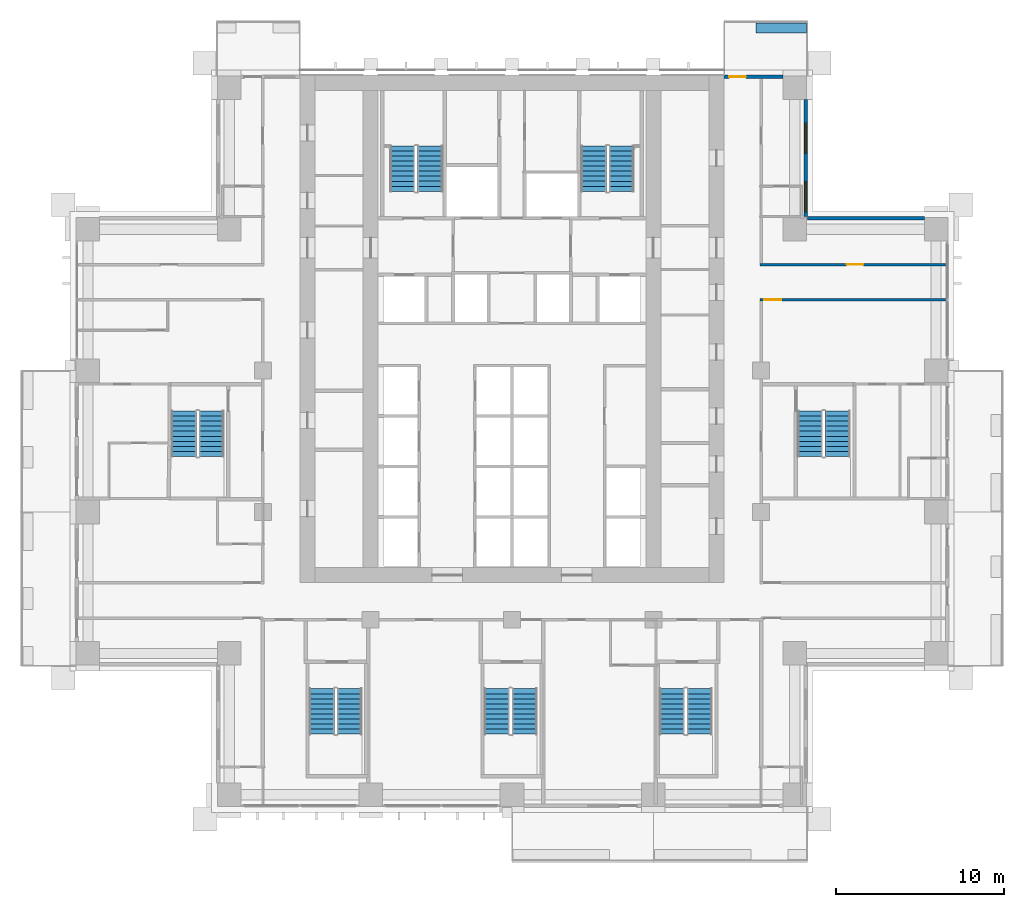
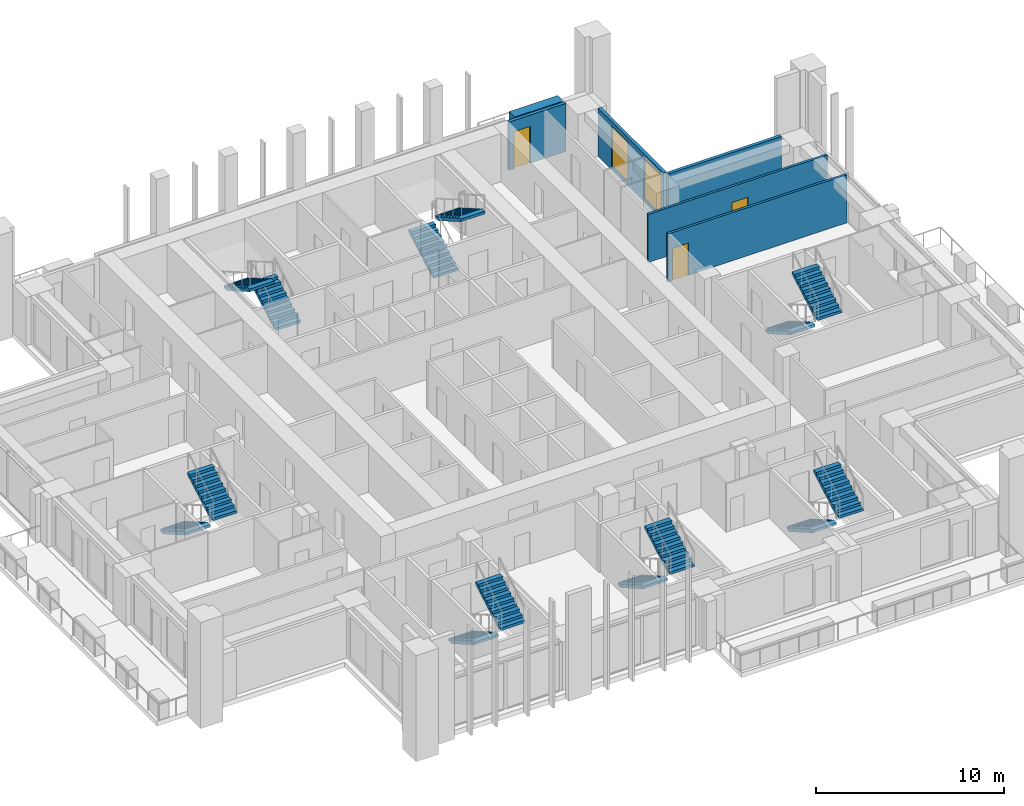
# One storey, part 14 of 19: 14 stair flights, 6 walls, 3 doors, 2 windows, 5 openings, 7 elements without a shape of their own.
"""IFC4 building model written with IfcOpenShell, lengths in metres."""

from ifc_helpers import new_model, si_unit, direction, frame, frame_2d, origin, place, context, subcontext, project, spatial, polyline, rectangle, outline, extrude, material, layer, layer_set, type_object, element, fill, aggregate, save


model = new_model("IFC4")

# Units and contexts
model_context = context("Model", 3, precision=1e-05, world=origin(), true_north=direction((0.0, 1.0)))
body_context = subcontext(model_context, "Body", "Model", "MODEL_VIEW")
ifc_project = project(units=[si_unit("LENGTHUNIT", "METRE"), si_unit("AREAUNIT", "SQUARE_METRE"), si_unit("VOLUMEUNIT", "CUBIC_METRE"), si_unit("PLANEANGLEUNIT", "RADIAN"), si_unit("MASSUNIT", "GRAM", prefix="KILO")], contexts=[model_context])

# Site, building, storey
site_placement = place(None, origin())
site = spatial("IfcSite", under=ifc_project, at=site_placement, CompositionType="ELEMENT")
building_placement = place(site_placement, origin())
building = spatial("IfcBuilding", under=site, at=building_placement, Name="Vermilion Ogive Tower", CompositionType="ELEMENT")
storey_placement = place(building_placement, frame((0.0, 0.0, 48.300048828125)))
storey = spatial("IfcBuildingStorey", under=building, at=storey_placement, Name="L10", CompositionType="ELEMENT", Elevation=48.300048828125)

# Wall, opening, door
ifc_material_1 = material(Name="Gypsum board partition on steel studs", Category="steel")
ifc_layer_1 = layer(ifc_material_1, 0.14990234375)
ifc_layer_set_1 = layer_set([ifc_layer_1], Name="Partition 150 corridor")
wall_type_1 = type_object("IfcWallType", Name="Partition 150 corridor", PredefinedType="PARTITIONING", material=ifc_layer_set_1)
wall_1_placement = place(storey_placement, frame((14.72509765625, 8.39990234375, 0.0), z_axis=(0.0, 0.0, 1.0), x_axis=(1.0, 0.0, 0.0)))
wall_1 = element("IfcWall", 1, at=wall_1_placement, inside=storey, type_object=wall_type_1, Name="L10-W-W032", PredefinedType="PARTITIONING", context=body_context, shape_type="SweptSolid", body=[
    extrude(rectangle(XDim=11.02490234375, YDim=0.14990234375, at=frame_2d((5.512451171875, 0.0))), origin(), (0.0, 0.0, 1.0), 3.1298828125),
])
opening_1_placement = place(wall_1_placement, frame((0.27490234375, 0.0, 0.0)))
opening_1 = element("IfcOpeningElement", 2, at=opening_1_placement, cuts=wall_1, Name="Opening D1G3018", PredefinedType="OPENING", context=body_context, shape_type="SweptSolid", body=[
    extrude(rectangle(XDim=1.0, YDim=2.10009765625, at=frame_2d((0.5, 1.050048828125))), frame((0.0, 0.0849609375, 0.0), z_axis=(0.0, -1.0, 0.0), x_axis=(1.0, 0.0, 0.0)), (0.0, 0.0, 1.0), 0.169921875),
])
ifc_material_2 = material(Name="Timber door leaf", Category="wood")
door_type_1 = type_object("IfcDoorType", Name="Unit door 1000 x 2100 FD30S", OperationType="SINGLE_SWING_LEFT", PredefinedType="DOOR", material=ifc_material_2)
door_1_placement = place(opening_1_placement, origin())
door_1 = element("IfcDoor", 3, at=door_1_placement, inside=storey, type_object=door_type_1, Name="L10-D-D018", OperationType="SINGLE_SWING_RIGHT", OverallHeight=2.10009765625, OverallWidth=1.0, PredefinedType="DOOR", context=body_context, shape_type="SweptSolid", body=[
    extrude(rectangle(XDim=1.0, YDim=2.10009765625, at=frame_2d((0.5, 1.050048828125))), frame((0.0, 0.02490234375, 0.0), z_axis=(0.0, -1.0, 0.0), x_axis=(1.0, 0.0, 0.0)), (0.0, 0.0, 1.0), 0.050048828125),
])
fill(opening_1, door_1)

wall_2_placement = place(storey_placement, frame((14.72509765625, 10.5, 0.0), z_axis=(0.0, 0.0, 1.0), x_axis=(1.0, 0.0, 0.0)))
wall_2 = element("IfcWall", 4, at=wall_2_placement, inside=storey, type_object=wall_type_1, Name="L10-W-W034", PredefinedType="PARTITIONING", context=body_context, shape_type="SweptSolid", body=[
    extrude(rectangle(XDim=11.02490234375, YDim=0.14990234375, at=frame_2d((5.512451171875, 0.0))), origin(), (0.0, 0.0, 1.0), 3.1298828125),
])
opening_2_placement = place(wall_2_placement, frame((5.14990234375, 0.0, 0.0)))
opening_2 = element("IfcOpeningElement", 5, at=opening_2_placement, cuts=wall_2, Name="Opening D1G3036", PredefinedType="OPENING", context=body_context, shape_type="SweptSolid", body=[
    extrude(rectangle(XDim=1.0, YDim=2.10009765625, at=frame_2d((0.5, 1.050048828125))), frame((0.0, 0.0849609375, 0.0), z_axis=(0.0, -1.0, 0.0), x_axis=(1.0, 0.0, 0.0)), (0.0, 0.0, 1.0), 0.169921875),
])
door_2_placement = place(opening_2_placement, origin())
door_2 = element("IfcDoor", 6, at=door_2_placement, inside=storey, type_object=door_type_1, Name="L10-D-D036", OperationType="SINGLE_SWING_RIGHT", OverallHeight=2.10009765625, OverallWidth=1.0, PredefinedType="DOOR", context=body_context, shape_type="SweptSolid", body=[
    extrude(rectangle(XDim=1.0, YDim=2.10009765625, at=frame_2d((0.5, 1.050048828125))), frame((0.0, 0.02490234375, 0.0), z_axis=(0.0, -1.0, 0.0), x_axis=(1.0, 0.0, 0.0)), (0.0, 0.0, 1.0), 0.050048828125),
])
fill(opening_2, door_2)

# Walls
ifc_material_3 = material(Name="Concrete B40", Category="concrete")
ifc_layer_2 = layer(ifc_material_3, 0.60009765625)
ifc_layer_set_2 = layer_set([ifc_layer_2], Name="Structural planter")
wall_type_2 = type_object("IfcWallType", Name="Structural planter", PredefinedType="USERDEFINED", material=ifc_layer_set_2)
wall_3_placement = place(storey_placement, frame((17.489990234375, 24.550048828125, -0.0400390625), z_axis=(0.0, 0.0, 1.0), x_axis=(-1.0, 0.0, 0.0)))
element("IfcWall", 7, at=wall_3_placement, inside=storey, type_object=wall_type_2, Name="Planter N101A1", ObjectType="PLANTER", PredefinedType="USERDEFINED", context=body_context, shape_type="SweptSolid", body=[
    extrude(rectangle(XDim=2.989990234375, YDim=0.60009765625, at=frame_2d((1.4951171875, 0.0))), origin(), (0.0, 0.0, 1.0), 1.199951171875),
])
ifc_material_4 = material(Name="Aluminium window wall framing", Category="aluminium")
ifc_layer_3 = layer(ifc_material_4, 0.199951171875)
ifc_layer_set_3 = layer_set([ifc_layer_3], Name="Window wall")
wall_type_3 = type_object("IfcWallType", Name="Window wall", PredefinedType="STANDARD", material=ifc_layer_set_3)
wall_4_placement = place(storey_placement, frame((24.5, 13.25, 0.0), z_axis=(0.0, 0.0, 1.0), x_axis=(-1.0, 0.0, 0.0)))
element("IfcWall", 8, at=wall_4_placement, inside=storey, type_object=wall_type_3, Name="Window wall X31", PredefinedType="STANDARD", context=body_context, shape_type="SweptSolid", body=[
    extrude(rectangle(XDim=6.949951171875, YDim=0.199951171875, at=frame_2d((3.47509765625, 0.0))), origin(), (0.0, 0.0, 1.0), 3.1298828125),
])

# Wall, openings, windows
wall_5_placement = place(storey_placement, frame((17.449951171875, 13.35009765625, 0.0), z_axis=(0.0, 0.0, 1.0), x_axis=(0.0, 1.0, 0.0)))
wall_5 = element("IfcWall", 9, at=wall_5_placement, inside=storey, type_object=wall_type_3, Name="Window wall X41", PredefinedType="STANDARD", context=body_context, shape_type="SweptSolid", body=[
    extrude(rectangle(XDim=6.949951171875, YDim=0.199951171875, at=frame_2d((3.47509765625, 0.0))), origin(), (0.0, 0.0, 1.0), 3.1298828125),
])
opening_3_placement = place(wall_5_placement, frame((0.27490234375, 0.0, 0.199951171875)))
opening_3 = element("IfcOpeningElement", 10, at=opening_3_placement, cuts=wall_5, Name="Opening W1-X403", PredefinedType="OPENING", context=body_context, shape_type="SweptSolid", body=[
    extrude(rectangle(XDim=1.800048828125, YDim=2.64990234375, at=frame_2d((0.89990234375, 1.324951171875))), frame((0.0, 0.10986328125, 0.0), z_axis=(0.0, -1.0, 0.0), x_axis=(1.0, 0.0, 0.0)), (0.0, 0.0, 1.0), 0.219970703125),
])
opening_4_placement = place(wall_5_placement, frame((3.75, 0.0, 0.199951171875)))
opening_4 = element("IfcOpeningElement", 11, at=opening_4_placement, cuts=wall_5, Name="Opening W1-X404", PredefinedType="OPENING", context=body_context, shape_type="SweptSolid", body=[
    extrude(rectangle(XDim=1.800048828125, YDim=2.64990234375, at=frame_2d((0.89990234375, 1.324951171875))), frame((0.0, 0.10986328125, 0.0), z_axis=(0.0, -1.0, 0.0), x_axis=(1.0, 0.0, 0.0)), (0.0, 0.0, 1.0), 0.219970703125),
])
ifc_material_5 = material(Name="Aluminium framed double glazing", Category="aluminium")
window_type = type_object("IfcWindowType", Name="Guest window W1", PartitioningType="SINGLE_PANEL", PredefinedType="WINDOW", material=ifc_material_5)
window_1_placement = place(opening_3_placement, origin())
window_1 = element("IfcWindow", 12, at=window_1_placement, inside=storey, type_object=window_type, Name="Window X403", OverallHeight=2.64990234375, OverallWidth=1.800048828125, PartitioningType="SINGLE_PANEL", PredefinedType="WINDOW", context=body_context, shape_type="SweptSolid", body=[
    extrude(rectangle(XDim=1.800048828125, YDim=2.64990234375, at=frame_2d((0.89990234375, 1.324951171875))), frame((0.0, 0.030029296875, 0.0), z_axis=(0.0, -1.0, 0.0), x_axis=(1.0, 0.0, 0.0)), (0.0, 0.0, 1.0), 0.06005859375),
])
fill(opening_3, window_1)
window_2_placement = place(opening_4_placement, origin())
window_2 = element("IfcWindow", 13, at=window_2_placement, inside=storey, type_object=window_type, Name="Window X404", OverallHeight=2.64990234375, OverallWidth=1.800048828125, PartitioningType="SINGLE_PANEL", PredefinedType="WINDOW", context=body_context, shape_type="SweptSolid", body=[
    extrude(rectangle(XDim=1.800048828125, YDim=2.64990234375, at=frame_2d((0.89990234375, 1.324951171875))), frame((0.0, 0.030029296875, 0.0), z_axis=(0.0, -1.0, 0.0), x_axis=(1.0, 0.0, 0.0)), (0.0, 0.0, 1.0), 0.06005859375),
])
fill(opening_4, window_2)

# Wall, opening, door
wall_6_placement = place(storey_placement, frame((16.10009765625, 21.64990234375, 0.0), z_axis=(0.0, 0.0, 1.0), x_axis=(-1.0, 0.0, 0.0)))
wall_6 = element("IfcWall", 14, at=wall_6_placement, inside=storey, type_object=wall_type_3, Name="Window wall N11", PredefinedType="STANDARD", context=body_context, shape_type="SweptSolid", body=[
    extrude(rectangle(XDim=3.5, YDim=0.199951171875, at=frame_2d((1.75, 0.0))), origin(), (0.0, 0.0, 1.0), 3.1298828125),
])
opening_5_placement = place(wall_6_placement, frame((2.199951171875, 0.0, 0.0)))
opening_5 = element("IfcOpeningElement", 15, at=opening_5_placement, cuts=wall_6, Name="Opening D1-N103", PredefinedType="OPENING", context=body_context, shape_type="SweptSolid", body=[
    extrude(rectangle(XDim=1.0, YDim=2.39990234375, at=frame_2d((0.5, 1.199951171875))), frame((0.0, 0.10986328125, 0.0), z_axis=(0.0, -1.0, 0.0), x_axis=(1.0, 0.0, 0.0)), (0.0, 0.0, 1.0), 0.219970703125),
])
ifc_material_6 = material(Name="Aluminium framed glazed door", Category="aluminium")
door_type_2 = type_object("IfcDoorType", Name="Balcony door D1", OperationType="SINGLE_SWING_LEFT", PredefinedType="DOOR", material=ifc_material_6)
door_3_placement = place(opening_5_placement, origin())
door_3 = element("IfcDoor", 16, at=door_3_placement, inside=storey, type_object=door_type_2, Name="Balcony door N103", OperationType="SINGLE_SWING_LEFT", OverallHeight=2.39990234375, OverallWidth=1.0, PredefinedType="DOOR", context=body_context, shape_type="SweptSolid", body=[
    extrude(rectangle(XDim=1.0, YDim=2.39990234375, at=frame_2d((0.5, 1.199951171875))), frame((0.0, 0.02490234375, 0.0), z_axis=(0.0, -1.0, 0.0), x_axis=(1.0, 0.0, 0.0)), (0.0, 0.0, 1.0), 0.050048828125),
])
fill(opening_5, door_3)

# Stair, stair flights
ifc_material_7 = material(Name="Concrete B40", Category="concrete")
stair_type = type_object("IfcStairType", Name="Exit stair 1500", PredefinedType="HALF_TURN_STAIR", material=ifc_material_7)
stair_1_placement = place(storey_placement, origin())
stair_1 = element("IfcStair", 17, at=stair_1_placement, inside=storey, type_object=stair_type, Name="L10 Exit Stair ST1", PredefinedType="HALF_TURN_STAIR")
ifc_material_8 = material(Name="Concrete B40", Category="concrete")
stair_flight_type = type_object("IfcStairFlightType", Name="Stair flight 1500", PredefinedType="STRAIGHT", material=ifc_material_8)
stair_flight_1_placement = place(storey_placement, frame((-4.85009765625, 14.85009765625, 0.0), z_axis=(0.0, 0.0, 1.0), x_axis=(0.0, 1.0, 0.0)))
stair_flight_1 = element("IfcStairFlight", 18, at=stair_flight_1_placement, type_object=stair_flight_type, Name="ST1 flight 1", NumberOfRisers=10, NumberOfTreads=9, PredefinedType="STRAIGHT", RiserHeight=0.1725, TreadLength=0.3, context=body_context, shape_type="SweptSolid", body=[
    extrude(outline(polyline([(0.0, 0.0), (0.0, 0.172607421875), (0.300048828125, 0.172607421875), (0.300048828125, 0.344970703125), (0.60009765625, 0.344970703125), (0.60009765625, 0.517578125), (0.89990234375, 0.517578125), (0.89990234375, 0.68994140625), (1.199951171875, 0.68994140625), (1.199951171875, 0.862548828125), (1.5, 0.862548828125), (1.5, 1.034912109375), (1.800048828125, 1.034912109375), (1.800048828125, 1.20751953125), (2.10009765625, 1.20751953125), (2.10009765625, 1.3798828125), (2.39990234375, 1.3798828125), (2.39990234375, 1.552490234375), (2.699951171875, 1.552490234375), (2.699951171875, 1.72509765625), (2.699951171875, 1.379638671875), (0.30078125, 0.0), (0.0, 0.0)])), frame((0.0, 0.75, 0.0), z_axis=(0.0, -1.0, 0.0), x_axis=(1.0, 0.0, 0.0)), (0.0, 0.0, 1.0), 1.5),
])
stair_flight_2_placement = place(storey_placement, frame((-6.5, 17.550048828125, 1.724853515625), z_axis=(0.0, 0.0, 1.0), x_axis=(0.0, -1.0, 0.0)))
stair_flight_2 = element("IfcStairFlight", 19, at=stair_flight_2_placement, type_object=stair_flight_type, Name="ST1 flight 2", NumberOfRisers=10, NumberOfTreads=9, PredefinedType="STRAIGHT", RiserHeight=0.1725, TreadLength=0.3, context=body_context, shape_type="SweptSolid", body=[
    extrude(outline(polyline([(0.0, 0.0), (0.0, 0.172607421875), (0.300048828125, 0.172607421875), (0.300048828125, 0.344970703125), (0.60009765625, 0.344970703125), (0.60009765625, 0.517578125), (0.89990234375, 0.517578125), (0.89990234375, 0.68994140625), (1.199951171875, 0.68994140625), (1.199951171875, 0.862548828125), (1.5, 0.862548828125), (1.5, 1.034912109375), (1.800048828125, 1.034912109375), (1.800048828125, 1.20751953125), (2.10009765625, 1.20751953125), (2.10009765625, 1.3798828125), (2.39990234375, 1.3798828125), (2.39990234375, 1.552490234375), (2.699951171875, 1.552490234375), (2.699951171875, 1.72509765625), (2.699951171875, 1.379638671875), (0.30078125, 0.0), (0.0, 0.0)])), frame((0.0, 0.75, 0.0), z_axis=(0.0, -1.0, 0.0), x_axis=(1.0, 0.0, 0.0)), (0.0, 0.0, 1.0), 1.5),
])
aggregate(stair_1, [stair_flight_1, stair_flight_2])

stair_2_placement = place(storey_placement, origin())
stair_2 = element("IfcStair", 20, at=stair_2_placement, inside=storey, type_object=stair_type, Name="L10 Exit Stair ST2", PredefinedType="HALF_TURN_STAIR")
stair_flight_3_placement = place(storey_placement, frame((4.85009765625, 14.85009765625, 0.0), z_axis=(0.0, 0.0, 1.0), x_axis=(0.0, 1.0, 0.0)))
stair_flight_3 = element("IfcStairFlight", 21, at=stair_flight_3_placement, type_object=stair_flight_type, Name="ST2 flight 1", NumberOfRisers=10, NumberOfTreads=9, PredefinedType="STRAIGHT", RiserHeight=0.1725, TreadLength=0.3, context=body_context, shape_type="SweptSolid", body=[
    extrude(outline(polyline([(0.0, 0.0), (0.0, 0.172607421875), (0.300048828125, 0.172607421875), (0.300048828125, 0.344970703125), (0.60009765625, 0.344970703125), (0.60009765625, 0.517578125), (0.89990234375, 0.517578125), (0.89990234375, 0.68994140625), (1.199951171875, 0.68994140625), (1.199951171875, 0.862548828125), (1.5, 0.862548828125), (1.5, 1.034912109375), (1.800048828125, 1.034912109375), (1.800048828125, 1.20751953125), (2.10009765625, 1.20751953125), (2.10009765625, 1.3798828125), (2.39990234375, 1.3798828125), (2.39990234375, 1.552490234375), (2.699951171875, 1.552490234375), (2.699951171875, 1.72509765625), (2.699951171875, 1.379638671875), (0.30078125, 0.0), (0.0, 0.0)])), frame((0.0, 0.75, 0.0), z_axis=(0.0, -1.0, 0.0), x_axis=(1.0, 0.0, 0.0)), (0.0, 0.0, 1.0), 1.5),
])
stair_flight_4_placement = place(storey_placement, frame((6.5, 17.550048828125, 1.724853515625), z_axis=(0.0, 0.0, 1.0), x_axis=(0.0, -1.0, 0.0)))
stair_flight_4 = element("IfcStairFlight", 22, at=stair_flight_4_placement, type_object=stair_flight_type, Name="ST2 flight 2", NumberOfRisers=10, NumberOfTreads=9, PredefinedType="STRAIGHT", RiserHeight=0.1725, TreadLength=0.3, context=body_context, shape_type="SweptSolid", body=[
    extrude(outline(polyline([(0.0, 0.0), (0.0, 0.172607421875), (0.300048828125, 0.172607421875), (0.300048828125, 0.344970703125), (0.60009765625, 0.344970703125), (0.60009765625, 0.517578125), (0.89990234375, 0.517578125), (0.89990234375, 0.68994140625), (1.199951171875, 0.68994140625), (1.199951171875, 0.862548828125), (1.5, 0.862548828125), (1.5, 1.034912109375), (1.800048828125, 1.034912109375), (1.800048828125, 1.20751953125), (2.10009765625, 1.20751953125), (2.10009765625, 1.3798828125), (2.39990234375, 1.3798828125), (2.39990234375, 1.552490234375), (2.699951171875, 1.552490234375), (2.699951171875, 1.72509765625), (2.699951171875, 1.379638671875), (0.30078125, 0.0), (0.0, 0.0)])), frame((0.0, 0.75, 0.0), z_axis=(0.0, -1.0, 0.0), x_axis=(1.0, 0.0, 0.0)), (0.0, 0.0, 1.0), 1.5),
])
aggregate(stair_2, [stair_flight_3, stair_flight_4])

stair_3_placement = place(storey_placement, origin())
stair_3 = element("IfcStair", 23, at=stair_3_placement, inside=storey, type_object=stair_type, Name="L10 Exit Stair ST3", PredefinedType="HALF_TURN_STAIR")
stair_flight_5_placement = place(storey_placement, frame((-11.300048828125, -14.699951171875, 0.0), z_axis=(0.0, 0.0, 1.0), x_axis=(0.0, -1.0, 0.0)))
stair_flight_5 = element("IfcStairFlight", 24, at=stair_flight_5_placement, type_object=stair_flight_type, Name="ST3 flight 1", NumberOfRisers=10, NumberOfTreads=9, PredefinedType="STRAIGHT", RiserHeight=0.1725, TreadLength=0.3, context=body_context, shape_type="SweptSolid", body=[
    extrude(outline(polyline([(0.0, 0.0), (0.0, 0.172607421875), (0.300048828125, 0.172607421875), (0.300048828125, 0.344970703125), (0.60009765625, 0.344970703125), (0.60009765625, 0.517578125), (0.89990234375, 0.517578125), (0.89990234375, 0.68994140625), (1.199951171875, 0.68994140625), (1.199951171875, 0.862548828125), (1.5, 0.862548828125), (1.5, 1.034912109375), (1.800048828125, 1.034912109375), (1.800048828125, 1.20751953125), (2.10009765625, 1.20751953125), (2.10009765625, 1.3798828125), (2.39990234375, 1.3798828125), (2.39990234375, 1.552490234375), (2.699951171875, 1.552490234375), (2.699951171875, 1.72509765625), (2.699951171875, 1.379638671875), (0.30078125, 0.0), (0.0, 0.0)])), frame((0.0, 0.75, 0.0), z_axis=(0.0, -1.0, 0.0), x_axis=(1.0, 0.0, 0.0)), (0.0, 0.0, 1.0), 1.5),
])
stair_flight_6_placement = place(storey_placement, frame((-9.64990234375, -17.39990234375, 1.724853515625), z_axis=(0.0, 0.0, 1.0), x_axis=(0.0, 1.0, 0.0)))
stair_flight_6 = element("IfcStairFlight", 25, at=stair_flight_6_placement, type_object=stair_flight_type, Name="ST3 flight 2", NumberOfRisers=10, NumberOfTreads=9, PredefinedType="STRAIGHT", RiserHeight=0.1725, TreadLength=0.3, context=body_context, shape_type="SweptSolid", body=[
    extrude(outline(polyline([(0.0, 0.0), (0.0, 0.172607421875), (0.300048828125, 0.172607421875), (0.300048828125, 0.344970703125), (0.60009765625, 0.344970703125), (0.60009765625, 0.517578125), (0.89990234375, 0.517578125), (0.89990234375, 0.68994140625), (1.199951171875, 0.68994140625), (1.199951171875, 0.862548828125), (1.5, 0.862548828125), (1.5, 1.034912109375), (1.800048828125, 1.034912109375), (1.800048828125, 1.20751953125), (2.10009765625, 1.20751953125), (2.10009765625, 1.3798828125), (2.39990234375, 1.3798828125), (2.39990234375, 1.552490234375), (2.699951171875, 1.552490234375), (2.699951171875, 1.72509765625), (2.699951171875, 1.379638671875), (0.30078125, 0.0), (0.0, 0.0)])), frame((0.0, 0.75, 0.0), z_axis=(0.0, -1.0, 0.0), x_axis=(1.0, 0.0, 0.0)), (0.0, 0.0, 1.0), 1.5),
])
aggregate(stair_3, [stair_flight_5, stair_flight_6])

stair_4_placement = place(storey_placement, origin())
stair_4 = element("IfcStair", 26, at=stair_4_placement, inside=storey, type_object=stair_type, Name="L10 Exit Stair ST4", PredefinedType="HALF_TURN_STAIR")
stair_flight_7_placement = place(storey_placement, frame((-0.89990234375, -14.699951171875, 0.0), z_axis=(0.0, 0.0, 1.0), x_axis=(0.0, -1.0, 0.0)))
stair_flight_7 = element("IfcStairFlight", 27, at=stair_flight_7_placement, type_object=stair_flight_type, Name="ST4 flight 1", NumberOfRisers=10, NumberOfTreads=9, PredefinedType="STRAIGHT", RiserHeight=0.1725, TreadLength=0.3, context=body_context, shape_type="SweptSolid", body=[
    extrude(outline(polyline([(0.0, 0.0), (0.0, 0.172607421875), (0.300048828125, 0.172607421875), (0.300048828125, 0.344970703125), (0.60009765625, 0.344970703125), (0.60009765625, 0.517578125), (0.89990234375, 0.517578125), (0.89990234375, 0.68994140625), (1.199951171875, 0.68994140625), (1.199951171875, 0.862548828125), (1.5, 0.862548828125), (1.5, 1.034912109375), (1.800048828125, 1.034912109375), (1.800048828125, 1.20751953125), (2.10009765625, 1.20751953125), (2.10009765625, 1.3798828125), (2.39990234375, 1.3798828125), (2.39990234375, 1.552490234375), (2.699951171875, 1.552490234375), (2.699951171875, 1.72509765625), (2.699951171875, 1.379638671875), (0.30078125, 0.0), (0.0, 0.0)])), frame((0.0, 0.75, 0.0), z_axis=(0.0, -1.0, 0.0), x_axis=(1.0, 0.0, 0.0)), (0.0, 0.0, 1.0), 1.5),
])
stair_flight_8_placement = place(storey_placement, frame((0.75, -17.39990234375, 1.724853515625), z_axis=(0.0, 0.0, 1.0), x_axis=(0.0, 1.0, 0.0)))
stair_flight_8 = element("IfcStairFlight", 28, at=stair_flight_8_placement, type_object=stair_flight_type, Name="ST4 flight 2", NumberOfRisers=10, NumberOfTreads=9, PredefinedType="STRAIGHT", RiserHeight=0.1725, TreadLength=0.3, context=body_context, shape_type="SweptSolid", body=[
    extrude(outline(polyline([(0.0, 0.0), (0.0, 0.172607421875), (0.300048828125, 0.172607421875), (0.300048828125, 0.344970703125), (0.60009765625, 0.344970703125), (0.60009765625, 0.517578125), (0.89990234375, 0.517578125), (0.89990234375, 0.68994140625), (1.199951171875, 0.68994140625), (1.199951171875, 0.862548828125), (1.5, 0.862548828125), (1.5, 1.034912109375), (1.800048828125, 1.034912109375), (1.800048828125, 1.20751953125), (2.10009765625, 1.20751953125), (2.10009765625, 1.3798828125), (2.39990234375, 1.3798828125), (2.39990234375, 1.552490234375), (2.699951171875, 1.552490234375), (2.699951171875, 1.72509765625), (2.699951171875, 1.379638671875), (0.30078125, 0.0), (0.0, 0.0)])), frame((0.0, 0.75, 0.0), z_axis=(0.0, -1.0, 0.0), x_axis=(1.0, 0.0, 0.0)), (0.0, 0.0, 1.0), 1.5),
])
aggregate(stair_4, [stair_flight_7, stair_flight_8])

stair_5_placement = place(storey_placement, origin())
stair_5 = element("IfcStair", 29, at=stair_5_placement, inside=storey, type_object=stair_type, Name="L10 Exit Stair ST5", PredefinedType="HALF_TURN_STAIR")
stair_flight_9_placement = place(storey_placement, frame((9.5, -14.699951171875, 0.0), z_axis=(0.0, 0.0, 1.0), x_axis=(0.0, -1.0, 0.0)))
stair_flight_9 = element("IfcStairFlight", 30, at=stair_flight_9_placement, type_object=stair_flight_type, Name="ST5 flight 1", NumberOfRisers=10, NumberOfTreads=9, PredefinedType="STRAIGHT", RiserHeight=0.1725, TreadLength=0.3, context=body_context, shape_type="SweptSolid", body=[
    extrude(outline(polyline([(0.0, 0.0), (0.0, 0.172607421875), (0.300048828125, 0.172607421875), (0.300048828125, 0.344970703125), (0.60009765625, 0.344970703125), (0.60009765625, 0.517578125), (0.89990234375, 0.517578125), (0.89990234375, 0.68994140625), (1.199951171875, 0.68994140625), (1.199951171875, 0.862548828125), (1.5, 0.862548828125), (1.5, 1.034912109375), (1.800048828125, 1.034912109375), (1.800048828125, 1.20751953125), (2.10009765625, 1.20751953125), (2.10009765625, 1.3798828125), (2.39990234375, 1.3798828125), (2.39990234375, 1.552490234375), (2.699951171875, 1.552490234375), (2.699951171875, 1.72509765625), (2.699951171875, 1.379638671875), (0.30078125, 0.0), (0.0, 0.0)])), frame((0.0, 0.75, 0.0), z_axis=(0.0, -1.0, 0.0), x_axis=(1.0, 0.0, 0.0)), (0.0, 0.0, 1.0), 1.5),
])
stair_flight_10_placement = place(storey_placement, frame((11.14990234375, -17.39990234375, 1.724853515625), z_axis=(0.0, 0.0, 1.0), x_axis=(0.0, 1.0, 0.0)))
stair_flight_10 = element("IfcStairFlight", 31, at=stair_flight_10_placement, type_object=stair_flight_type, Name="ST5 flight 2", NumberOfRisers=10, NumberOfTreads=9, PredefinedType="STRAIGHT", RiserHeight=0.1725, TreadLength=0.3, context=body_context, shape_type="SweptSolid", body=[
    extrude(outline(polyline([(0.0, 0.0), (0.0, 0.172607421875), (0.300048828125, 0.172607421875), (0.300048828125, 0.344970703125), (0.60009765625, 0.344970703125), (0.60009765625, 0.517578125), (0.89990234375, 0.517578125), (0.89990234375, 0.68994140625), (1.199951171875, 0.68994140625), (1.199951171875, 0.862548828125), (1.5, 0.862548828125), (1.5, 1.034912109375), (1.800048828125, 1.034912109375), (1.800048828125, 1.20751953125), (2.10009765625, 1.20751953125), (2.10009765625, 1.3798828125), (2.39990234375, 1.3798828125), (2.39990234375, 1.552490234375), (2.699951171875, 1.552490234375), (2.699951171875, 1.72509765625), (2.699951171875, 1.379638671875), (0.30078125, 0.0), (0.0, 0.0)])), frame((0.0, 0.75, 0.0), z_axis=(0.0, -1.0, 0.0), x_axis=(1.0, 0.0, 0.0)), (0.0, 0.0, 1.0), 1.5),
])
aggregate(stair_5, [stair_flight_9, stair_flight_10])

stair_6_placement = place(storey_placement, origin())
stair_6 = element("IfcStair", 32, at=stair_6_placement, inside=storey, type_object=stair_type, Name="L10 Exit Stair ST8", PredefinedType="HALF_TURN_STAIR")
stair_flight_11_placement = place(storey_placement, frame((17.699951171875, 1.800048828125, 0.0), z_axis=(0.0, 0.0, 1.0), x_axis=(0.0, -1.0, 0.0)))
stair_flight_11 = element("IfcStairFlight", 33, at=stair_flight_11_placement, type_object=stair_flight_type, Name="ST8 flight 1", NumberOfRisers=10, NumberOfTreads=9, PredefinedType="STRAIGHT", RiserHeight=0.1725, TreadLength=0.3, context=body_context, shape_type="SweptSolid", body=[
    extrude(outline(polyline([(0.0, 0.0), (0.0, 0.172607421875), (0.300048828125, 0.172607421875), (0.300048828125, 0.344970703125), (0.60009765625, 0.344970703125), (0.60009765625, 0.517578125), (0.89990234375, 0.517578125), (0.89990234375, 0.68994140625), (1.199951171875, 0.68994140625), (1.199951171875, 0.862548828125), (1.5, 0.862548828125), (1.5, 1.034912109375), (1.800048828125, 1.034912109375), (1.800048828125, 1.20751953125), (2.10009765625, 1.20751953125), (2.10009765625, 1.3798828125), (2.39990234375, 1.3798828125), (2.39990234375, 1.552490234375), (2.699951171875, 1.552490234375), (2.699951171875, 1.72509765625), (2.699951171875, 1.379638671875), (0.30078125, 0.0), (0.0, 0.0)])), frame((0.0, 0.75, 0.0), z_axis=(0.0, -1.0, 0.0), x_axis=(1.0, 0.0, 0.0)), (0.0, 0.0, 1.0), 1.5),
])
stair_flight_12_placement = place(storey_placement, frame((19.35009765625, -0.89990234375, 1.724853515625), z_axis=(0.0, 0.0, 1.0), x_axis=(0.0, 1.0, 0.0)))
stair_flight_12 = element("IfcStairFlight", 34, at=stair_flight_12_placement, type_object=stair_flight_type, Name="ST8 flight 2", NumberOfRisers=10, NumberOfTreads=9, PredefinedType="STRAIGHT", RiserHeight=0.1725, TreadLength=0.3, context=body_context, shape_type="SweptSolid", body=[
    extrude(outline(polyline([(0.0, 0.0), (0.0, 0.172607421875), (0.300048828125, 0.172607421875), (0.300048828125, 0.344970703125), (0.60009765625, 0.344970703125), (0.60009765625, 0.517578125), (0.89990234375, 0.517578125), (0.89990234375, 0.68994140625), (1.199951171875, 0.68994140625), (1.199951171875, 0.862548828125), (1.5, 0.862548828125), (1.5, 1.034912109375), (1.800048828125, 1.034912109375), (1.800048828125, 1.20751953125), (2.10009765625, 1.20751953125), (2.10009765625, 1.3798828125), (2.39990234375, 1.3798828125), (2.39990234375, 1.552490234375), (2.699951171875, 1.552490234375), (2.699951171875, 1.72509765625), (2.699951171875, 1.379638671875), (0.30078125, 0.0), (0.0, 0.0)])), frame((0.0, 0.75, 0.0), z_axis=(0.0, -1.0, 0.0), x_axis=(1.0, 0.0, 0.0)), (0.0, 0.0, 1.0), 1.5),
])
aggregate(stair_6, [stair_flight_11, stair_flight_12])

stair_7_placement = place(storey_placement, origin())
stair_7 = element("IfcStair", 35, at=stair_7_placement, inside=storey, type_object=stair_type, Name="L10 Exit Stair ST9", PredefinedType="HALF_TURN_STAIR")
stair_flight_13_placement = place(storey_placement, frame((-19.5, 1.800048828125, 0.0), z_axis=(0.0, 0.0, 1.0), x_axis=(0.0, -1.0, 0.0)))
stair_flight_13 = element("IfcStairFlight", 36, at=stair_flight_13_placement, type_object=stair_flight_type, Name="ST9 flight 1", NumberOfRisers=10, NumberOfTreads=9, PredefinedType="STRAIGHT", RiserHeight=0.1725, TreadLength=0.3, context=body_context, shape_type="SweptSolid", body=[
    extrude(outline(polyline([(0.0, 0.0), (0.0, 0.172607421875), (0.300048828125, 0.172607421875), (0.300048828125, 0.344970703125), (0.60009765625, 0.344970703125), (0.60009765625, 0.517578125), (0.89990234375, 0.517578125), (0.89990234375, 0.68994140625), (1.199951171875, 0.68994140625), (1.199951171875, 0.862548828125), (1.5, 0.862548828125), (1.5, 1.034912109375), (1.800048828125, 1.034912109375), (1.800048828125, 1.20751953125), (2.10009765625, 1.20751953125), (2.10009765625, 1.3798828125), (2.39990234375, 1.3798828125), (2.39990234375, 1.552490234375), (2.699951171875, 1.552490234375), (2.699951171875, 1.72509765625), (2.699951171875, 1.379638671875), (0.30078125, 0.0), (0.0, 0.0)])), frame((0.0, 0.75, 0.0), z_axis=(0.0, -1.0, 0.0), x_axis=(1.0, 0.0, 0.0)), (0.0, 0.0, 1.0), 1.5),
])
stair_flight_14_placement = place(storey_placement, frame((-17.85009765625, -0.89990234375, 1.724853515625), z_axis=(0.0, 0.0, 1.0), x_axis=(0.0, 1.0, 0.0)))
stair_flight_14 = element("IfcStairFlight", 37, at=stair_flight_14_placement, type_object=stair_flight_type, Name="ST9 flight 2", NumberOfRisers=10, NumberOfTreads=9, PredefinedType="STRAIGHT", RiserHeight=0.1725, TreadLength=0.3, context=body_context, shape_type="SweptSolid", body=[
    extrude(outline(polyline([(0.0, 0.0), (0.0, 0.172607421875), (0.300048828125, 0.172607421875), (0.300048828125, 0.344970703125), (0.60009765625, 0.344970703125), (0.60009765625, 0.517578125), (0.89990234375, 0.517578125), (0.89990234375, 0.68994140625), (1.199951171875, 0.68994140625), (1.199951171875, 0.862548828125), (1.5, 0.862548828125), (1.5, 1.034912109375), (1.800048828125, 1.034912109375), (1.800048828125, 1.20751953125), (2.10009765625, 1.20751953125), (2.10009765625, 1.3798828125), (2.39990234375, 1.3798828125), (2.39990234375, 1.552490234375), (2.699951171875, 1.552490234375), (2.699951171875, 1.72509765625), (2.699951171875, 1.379638671875), (0.30078125, 0.0), (0.0, 0.0)])), frame((0.0, 0.75, 0.0), z_axis=(0.0, -1.0, 0.0), x_axis=(1.0, 0.0, 0.0)), (0.0, 0.0, 1.0), 1.5),
])
aggregate(stair_7, [stair_flight_13, stair_flight_14])

save(model, "model.ifc")
